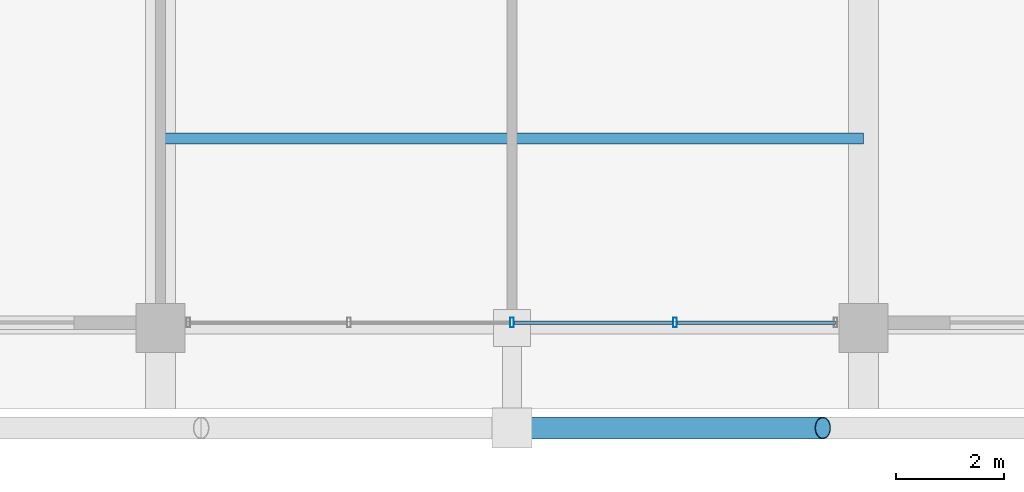
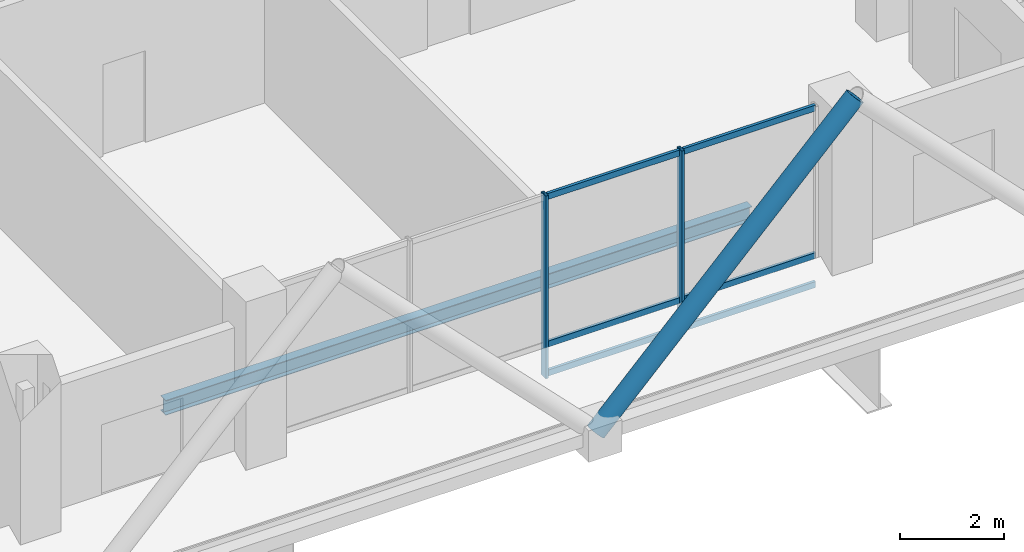
# One storey, part 6 of 27: 9 members, 1 beam, 1 element without a shape of its own.
"""IFC4 building model written with IfcOpenShell, lengths in metres."""

from ifc_helpers import new_model, si_unit, direction, frame, origin, origin_2d, place, context, subcontext, project, spatial, hollow_rectangle, hollow_circle, i_section, extrude, material, layer, layer_set, material_profile, profile_set, type_object, element, aggregate, save


model = new_model("IFC4")

# Units and contexts
model_context = context("Model", 3, precision=1e-05, world=origin(), true_north=direction((0.0, 1.0)))
body_context = subcontext(model_context, "Body", "Model", "MODEL_VIEW")
ifc_project = project(units=[si_unit("LENGTHUNIT", "METRE"), si_unit("AREAUNIT", "SQUARE_METRE"), si_unit("VOLUMEUNIT", "CUBIC_METRE"), si_unit("PLANEANGLEUNIT", "RADIAN"), si_unit("MASSUNIT", "GRAM", prefix="KILO")], contexts=[model_context])

# Site, building, storey
site_placement = place(None, origin())
site = spatial("IfcSite", under=ifc_project, at=site_placement, CompositionType="ELEMENT")
building_placement = place(site_placement, origin())
building = spatial("IfcBuilding", under=site, at=building_placement, Name="Barlavira Tower and Art Museum", CompositionType="ELEMENT")
storey_placement = place(building_placement, frame((0.0, 0.0, 217.800048828125)))
storey = spatial("IfcBuildingStorey", under=building, at=storey_placement, Name="L56", CompositionType="ELEMENT", Elevation=217.800048828125)

# Curtain wall, members
ifc_material_1 = material(Name="Low-iron coastal laminated glass", Category="glass")
ifc_layer = layer(ifc_material_1, 0.2099609375, Name="Low-iron coastal laminated glass")
ifc_layer_set = layer_set([ifc_layer], Name="Low-iron coastal laminated glass")
curtain_wall_type = type_object("IfcCurtainWallType", Name="Pale-Metal Unitised Curtain Wall Zone 4", PredefinedType="NOTDEFINED", material=ifc_layer_set)
curtain_wall_placement = place(storey_placement, origin())
curtain_wall = element("IfcCurtainWall", 1, at=curtain_wall_placement, inside=storey, type_object=curtain_wall_type, Name="L56 Curtain Wall CW4-L56-S-B2", PredefinedType="NOTDEFINED")
ifc_material_2 = material(Name="Pale anodised aluminium", Category="aluminium")
ifc_material_profile_1 = material_profile(ifc_material_2, hollow_rectangle(XDim=0.06494140625, YDim=0.179931640625, WallThickness=0.00390625, at=origin_2d()), Name="ALU-MULL 65x180x4")
ifc_profile_set_1 = profile_set([ifc_material_profile_1], Name="Pale anodised aluminium")
member_type_1 = type_object("IfcMemberType", Name="Curtain Wall Pale-Metal Mullion 65x180", PredefinedType="MULLION", material=ifc_profile_set_1)
member_1_placement = place(storey_placement, frame((0.0, -19.89990234375, 0.0), z_axis=(0.0, 0.0, 1.0), x_axis=(1.0, 0.0, 0.0)))
member_1 = element("IfcMember", 2, at=member_1_placement, type_object=member_type_1, Name="CW4-L56-S-B2 Mullion 2", PredefinedType="MULLION", context=body_context, shape_type="SweptSolid", body=[
    extrude(hollow_rectangle(XDim=0.06494140625, YDim=0.179931640625, WallThickness=0.00390625, at=origin_2d()), origin(), (0.0, 0.0, 1.0), 4.280029296875),
])
member_2_placement = place(storey_placement, frame((3.014892578125, -19.89990234375, 0.0), z_axis=(0.0, 0.0, 1.0), x_axis=(1.0, 0.0, 0.0)))
member_2 = element("IfcMember", 3, at=member_2_placement, type_object=member_type_1, Name="CW4-L56-S-B2 Mullion 3", PredefinedType="MULLION", context=body_context, shape_type="SweptSolid", body=[
    extrude(hollow_rectangle(XDim=0.06494140625, YDim=0.179931640625, WallThickness=0.00390625, at=origin_2d()), origin(), (0.0, 0.0, 1.0), 4.280029296875),
])
ifc_material_profile_2 = material_profile(ifc_material_2, hollow_rectangle(XDim=0.06494140625, YDim=0.139892578125, WallThickness=0.00390625, at=origin_2d()), Name="ALU-TRAN 65x140x4")
ifc_profile_set_2 = profile_set([ifc_material_profile_2], Name="Pale anodised aluminium")
member_type_2 = type_object("IfcMemberType", Name="Curtain Wall Pale-Metal Transom 65x140", PredefinedType="USERDEFINED", material=ifc_profile_set_2)
member_3_placement = place(storey_placement, frame((0.044921875, -19.89990234375, 0.070068359375), z_axis=(1.0, 0.0, 0.0), x_axis=(0.0, 1.0, 0.0)))
member_3 = element("IfcMember", 4, at=member_3_placement, type_object=member_type_2, Name="CW4-L56-S-B2 Transom 2.1", ObjectType="TRANSOM", PredefinedType="USERDEFINED", context=body_context, shape_type="SweptSolid", body=[
    extrude(hollow_rectangle(XDim=0.06494140625, YDim=0.139892578125, WallThickness=0.00390625, at=origin_2d()), origin(), (0.0, 0.0, 1.0), 2.925048828125),
])
member_4_placement = place(storey_placement, frame((0.044921875, -19.89990234375, 0.75), z_axis=(1.0, 0.0, 0.0), x_axis=(0.0, 1.0, 0.0)))
member_4 = element("IfcMember", 5, at=member_4_placement, type_object=member_type_2, Name="CW4-L56-S-B2 Transom 2.2", ObjectType="TRANSOM", PredefinedType="USERDEFINED", context=body_context, shape_type="SweptSolid", body=[
    extrude(hollow_rectangle(XDim=0.06494140625, YDim=0.139892578125, WallThickness=0.00390625, at=origin_2d()), origin(), (0.0, 0.0, 1.0), 2.925048828125),
])
member_5_placement = place(storey_placement, frame((0.044921875, -19.89990234375, 4.2099609375), z_axis=(1.0, 0.0, 0.0), x_axis=(0.0, 1.0, 0.0)))
member_5 = element("IfcMember", 6, at=member_5_placement, type_object=member_type_2, Name="CW4-L56-S-B2 Transom 2.3", ObjectType="TRANSOM", PredefinedType="USERDEFINED", context=body_context, shape_type="SweptSolid", body=[
    extrude(hollow_rectangle(XDim=0.06494140625, YDim=0.139892578125, WallThickness=0.00390625, at=origin_2d()), origin(), (0.0, 0.0, 1.0), 2.925048828125),
])
member_6_placement = place(storey_placement, frame((3.06005859375, -19.89990234375, 0.070068359375), z_axis=(1.0, 0.0, 0.0), x_axis=(0.0, 1.0, 0.0)))
member_6 = element("IfcMember", 7, at=member_6_placement, type_object=member_type_2, Name="CW4-L56-S-B2 Transom 3.1", ObjectType="TRANSOM", PredefinedType="USERDEFINED", context=body_context, shape_type="SweptSolid", body=[
    extrude(hollow_rectangle(XDim=0.06494140625, YDim=0.139892578125, WallThickness=0.00390625, at=origin_2d()), origin(), (0.0, 0.0, 1.0), 2.925048828125),
])
member_7_placement = place(storey_placement, frame((3.06005859375, -19.89990234375, 0.75), z_axis=(1.0, 0.0, 0.0), x_axis=(0.0, 1.0, 0.0)))
member_7 = element("IfcMember", 8, at=member_7_placement, type_object=member_type_2, Name="CW4-L56-S-B2 Transom 3.2", ObjectType="TRANSOM", PredefinedType="USERDEFINED", context=body_context, shape_type="SweptSolid", body=[
    extrude(hollow_rectangle(XDim=0.06494140625, YDim=0.139892578125, WallThickness=0.00390625, at=origin_2d()), origin(), (0.0, 0.0, 1.0), 2.925048828125),
])
member_8_placement = place(storey_placement, frame((3.06005859375, -19.89990234375, 4.2099609375), z_axis=(1.0, 0.0, 0.0), x_axis=(0.0, 1.0, 0.0)))
member_8 = element("IfcMember", 9, at=member_8_placement, type_object=member_type_2, Name="CW4-L56-S-B2 Transom 3.3", ObjectType="TRANSOM", PredefinedType="USERDEFINED", context=body_context, shape_type="SweptSolid", body=[
    extrude(hollow_rectangle(XDim=0.06494140625, YDim=0.139892578125, WallThickness=0.00390625, at=origin_2d()), origin(), (0.0, 0.0, 1.0), 2.925048828125),
])
aggregate(curtain_wall, [member_1, member_2, member_3, member_4, member_5, member_6, member_7, member_8])

# Member
ifc_material_3 = material(Name="Steel S355", Category="steel")
ifc_material_profile_3 = material_profile(ifc_material_3, hollow_circle(Radius=0.203125, WallThickness=0.01611328125, at=origin_2d()), Name="CHS 406.4x16.0")
ifc_profile_set_3 = profile_set([ifc_material_profile_3], Name="Steel S355")
member_type_3 = type_object("IfcMemberType", Name="Pale-Metal Exoskeleton Diagrid Tube CHS 406x16 Steel S355", PredefinedType="BRACE", material=ifc_profile_set_3)
member_9_placement = place(storey_placement, frame((0.0, -21.85009765625, -0.1201171875), z_axis=(0.700979034508, 0.0, 0.713181879453), x_axis=(0.0, 1.0, 0.0)))
element("IfcMember", 10, at=member_9_placement, inside=storey, type_object=member_type_3, Name="L56 Exoskeleton Diagrid Tube S", PredefinedType="BRACE", context=body_context, shape_type="SweptSolid", body=[
    extrude(hollow_circle(Radius=0.203125, WallThickness=0.01611328125, at=origin_2d()), origin(), (0.0, 0.0, 1.0), 8.202880859375),
])

# Beam
ifc_material_profile_4 = material_profile(ifc_material_3, i_section(OverallWidth=0.202880859375, OverallDepth=0.346923828125, WebThickness=0.0078125, FlangeThickness=0.013427734375, at=origin_2d()), Name="W360x64.0")
ifc_profile_set_4 = profile_set([ifc_material_profile_4], Name="Steel S355")
beam_type = type_object("IfcBeamType", Name="Zone 4 Composite Floor Joist W360x64 Steel S355", PredefinedType="JOIST", material=ifc_profile_set_4)
beam_placement = place(storey_placement, frame((-6.5, -16.5, -0.4736328125), z_axis=(1.0, 0.0, 0.0), x_axis=(0.0, 1.0, 0.0)))
element("IfcBeam", 11, at=beam_placement, inside=storey, type_object=beam_type, Name="L56 Joist C1", PredefinedType="JOIST", context=body_context, shape_type="SweptSolid", body=[
    extrude(i_section(OverallWidth=0.202880859375, OverallDepth=0.346923828125, WebThickness=0.0078125, FlangeThickness=0.013427734375, at=origin_2d()), origin(), (0.0, 0.0, 1.0), 13.0),
])

save(model, "model.ifc")
